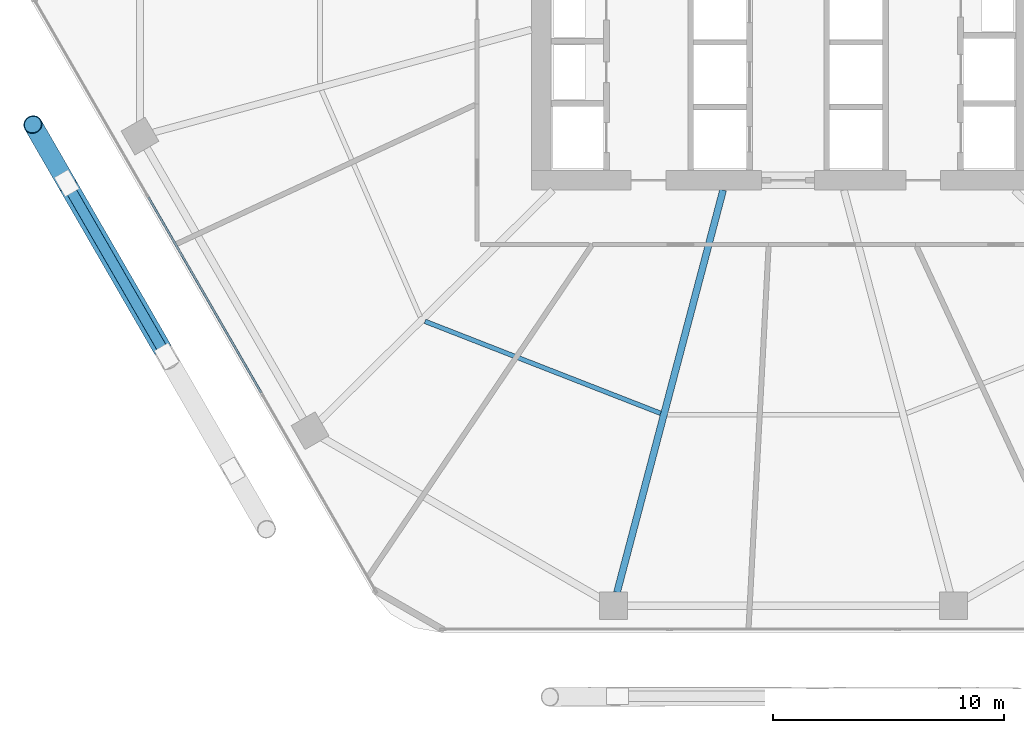
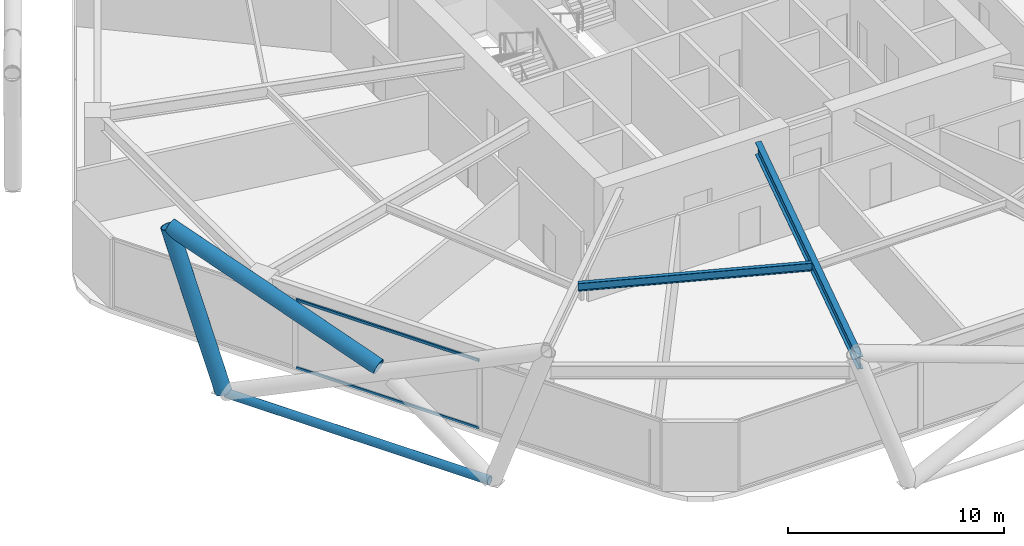
# One storey, part 4 of 28: 5 members, 2 beams, 1 element without a shape of its own.
"""IFC4 building model written with IfcOpenShell, lengths in metres."""

import ifcopenshell
import ifcopenshell.guid

model = None  # the IFC model being written
_history = None  # IfcOwnerHistory: only IFC2X3 demands one
_inside = {}  # id of a spatial element -> (the spatial element, [elements in it])
_under = {}  # id of a project, library or spatial element -> (it, [spatial elements below it])
_declared = {}  # id of a project -> (the project, [libraries it declares])
_typed = {}  # id of a type object -> (the type object, [elements of that type])
_made_of = {}  # id of a material, layer set ... -> (it, [elements and type objects made of it])


def new_model(schema):
    """Start an empty IFC model of exactly this schema.

    Asked for "IFC4X3", IfcOpenShell would pick the latest addendum, in which some entities
    have other attributes; the version numbers below select the first issue.
    IFC2X3 requires an IfcOwnerHistory on every rooted entity: one is made here for all.
    """
    global model, _history
    if schema == "IFC4X3":
        model = ifcopenshell.file(schema_version=(4, 3, 0, 0))
    else:
        model = ifcopenshell.file(schema=schema)
    _inside.clear()
    _under.clear()
    _declared.clear()
    _typed.clear()
    _made_of.clear()
    _history = None
    if model.schema == "IFC2X3":
        org = make("IfcOrganization", Name="unknown")
        user = make(
            "IfcPersonAndOrganization",
            ThePerson=make("IfcPerson", FamilyName="unknown"),
            TheOrganization=org,
        )
        app = make(
            "IfcApplication",
            ApplicationDeveloper=org,
            Version="unknown",
            ApplicationFullName="unknown",
            ApplicationIdentifier="unknown",
        )
        _history = make(
            "IfcOwnerHistory",
            OwningUser=user,
            OwningApplication=app,
            ChangeAction="ADDED",
            CreationDate=0,
        )
    return model


def make(cls, **values):
    """One entity of the class cls with the attributes given. An attribute that is None is left unset."""
    return model.create_entity(
        cls, **{name: value for name, value in values.items() if value is not None}
    )


def rooted(cls, **values):
    """An entity with a GlobalId (a new one), such as an element, a storey or a relation."""
    return make(cls, GlobalId=ifcopenshell.guid.new(), OwnerHistory=_history, **values)


def si_unit(unit_type, name, prefix=None):
    """IfcSIUnit, for example si_unit("LENGTHUNIT", "METRE", prefix="MILLI")."""
    return make("IfcSIUnit", UnitType=unit_type, Prefix=prefix, Name=name)


def assignment(units):
    """IfcUnitAssignment: the units of a project."""
    return None if units is None else make("IfcUnitAssignment", Units=units)


def point(xyz):
    """IfcCartesianPoint."""
    return None if xyz is None else make("IfcCartesianPoint", Coordinates=xyz)


def direction(xyz):
    """IfcDirection."""
    return None if xyz is None else make("IfcDirection", DirectionRatios=xyz)


def frame(location, z_axis=None, x_axis=None):
    """IfcAxis2Placement3D, a coordinate frame: its origin and axes. An axis left out is left unset."""
    return make(
        "IfcAxis2Placement3D",
        Location=point(location),
        Axis=direction(z_axis),
        RefDirection=direction(x_axis),
    )


def frame_2d(location, x_axis=None):
    """IfcAxis2Placement2D, a coordinate frame in the plane: its origin and x axis."""
    return make(
        "IfcAxis2Placement2D", Location=point(location), RefDirection=direction(x_axis)
    )


def origin():
    """The frame at (0, 0, 0) with its axes left unset."""
    return frame((0.0, 0.0, 0.0))


def origin_2d():
    """The frame at (0, 0) in the plane with its x axis left unset."""
    return frame_2d((0.0, 0.0))


def place(relative_to, where):
    """IfcLocalPlacement: puts the frame where relative to a parent placement (None: the world)."""
    return make(
        "IfcLocalPlacement", PlacementRelTo=relative_to, RelativePlacement=where
    )


def context(
    kind, dimensions, precision=None, world=None, true_north=None, identifier=None
):
    """IfcGeometricRepresentationContext, for example the 3D "Model" context."""
    return make(
        "IfcGeometricRepresentationContext",
        ContextIdentifier=identifier,
        ContextType=kind,
        CoordinateSpaceDimension=dimensions,
        Precision=precision,
        WorldCoordinateSystem=world,
        TrueNorth=true_north,
    )


def subcontext(parent, identifier, kind, view, scale=None):
    """IfcGeometricRepresentationSubContext, for example "Body" below "Model"."""
    return make(
        "IfcGeometricRepresentationSubContext",
        ContextIdentifier=identifier,
        ContextType=kind,
        ParentContext=parent,
        TargetScale=scale,
        TargetView=view,
    )


def project(units=None, contexts=None):
    """IfcProject with its units and contexts."""
    return rooted(
        "IfcProject",
        Name="project",
        RepresentationContexts=contexts,
        UnitsInContext=assignment(units),
    )


def spatial(cls, under=None, at=None, **own):
    """A site, building, storey or space (cls), placed at a placement, below another one or the project."""
    s = rooted(cls, ObjectPlacement=at, **own)
    if under is not None:
        _under.setdefault(under.id(), (under, []))[1].append(s)
    return s


def profile(cls, at=None, kind="AREA", **sizes):
    """A parametric profile (cls). Its sizes go by their IFC names, for example OverallWidth=200.0."""
    return make(cls, ProfileType=kind, Position=at, **sizes)


def hollow_rectangle(**sizes):
    """IfcRectangleHollowProfileDef."""
    return profile("IfcRectangleHollowProfileDef", **sizes)


def hollow_circle(**sizes):
    """IfcCircleHollowProfileDef."""
    return profile("IfcCircleHollowProfileDef", **sizes)


def i_section(**sizes):
    """IfcIShapeProfileDef."""
    return profile("IfcIShapeProfileDef", **sizes)


def extrude(swept, where, along, depth):
    """IfcExtrudedAreaSolid: the profile swept, set in the frame where, extruded along a direction by depth."""
    return make(
        "IfcExtrudedAreaSolid",
        SweptArea=swept,
        Position=where,
        ExtrudedDirection=direction(along),
        Depth=depth,
    )


def shape(context_of_items, identifier, shape_type, items):
    """IfcShapeRepresentation: the items that make up one representation, for example the "Body"."""
    return make(
        "IfcShapeRepresentation",
        ContextOfItems=context_of_items,
        RepresentationIdentifier=identifier,
        RepresentationType=shape_type,
        Items=items,
    )


def material(Name=None, Category=None):
    """IfcMaterial."""
    return make("IfcMaterial", Name=Name, Category=Category)


def material_profile(
    of_material, cross_section, Name=None, Category=None, Priority=None
):
    """IfcMaterialProfile: a cross section and its material."""
    return make(
        "IfcMaterialProfile",
        Name=Name,
        Material=of_material,
        Profile=cross_section,
        Priority=Priority,
        Category=Category,
    )


def profile_set(profiles, Name=None, composite=None):
    """IfcMaterialProfileSet."""
    return make(
        "IfcMaterialProfileSet",
        Name=Name,
        MaterialProfiles=profiles,
        CompositeProfile=composite,
    )


def made_of(thing, what):
    """Note that an element or type object is made of a material, layer set ...; save() writes the relation."""
    if what is not None:
        _made_of.setdefault(what.id(), (what, []))[1].append(thing)
    return thing


def type_object(cls, material=None, **own):
    """A type object (cls), such as IfcWallType, which elements share."""
    return made_of(rooted(cls, **own), material)


def element(
    cls,
    number,
    at=None,
    inside=None,
    cuts=None,
    type_object=None,
    material=None,
    context=None,
    identifier="Body",
    shape_type=None,
    held_by="IfcProductDefinitionShape",
    body=None,
    shapes=None,
    **own,
):
    """One element of the class cls, such as IfcWall. Its Tag is "e" and its number.

    at: its placement. inside: the storey or other place that contains it. cuts: it is an
    opening in that element (IfcRelVoidsElement). A single representation is given by context,
    identifier, shape_type and body (its items); several are given by shapes. held_by: the class
    of the entity that holds the representations. save() writes the other relations.
    """
    e = rooted(cls, Tag="e%d" % number, ObjectPlacement=at, **own)
    if body is not None:
        shapes = [shape(context, identifier, shape_type, body)]
    if shapes is not None:
        e.Representation = make(held_by, Representations=shapes)
    if inside is not None:
        _inside.setdefault(inside.id(), (inside, []))[1].append(e)
    if cuts is not None:
        rooted(
            "IfcRelVoidsElement", RelatingBuildingElement=cuts, RelatedOpeningElement=e
        )
    if type_object is not None:
        _typed.setdefault(type_object.id(), (type_object, []))[1].append(e)
    return made_of(e, material)


def aggregate(whole, parts):
    """IfcRelAggregates: a whole, such as a stair, and the parts it consists of."""
    return rooted("IfcRelAggregates", RelatingObject=whole, RelatedObjects=parts)


def save(model, path):
    """Write the relations noted so far, then the file.

    IfcRelAggregates (storeys below a building ...), IfcRelContainedInSpatialStructure (elements
    in a storey), IfcRelDefinesByType, IfcRelAssociatesMaterial and IfcRelDeclares: one each for
    every whole, place, type object, material and project.
    """
    for whole, parts in _under.values():
        aggregate(whole, parts)
    for where, things in _inside.values():
        rooted(
            "IfcRelContainedInSpatialStructure",
            RelatedElements=things,
            RelatingStructure=where,
        )
    for kind, things in _typed.values():
        rooted("IfcRelDefinesByType", RelatedObjects=things, RelatingType=kind)
    for what, things in _made_of.values():
        rooted("IfcRelAssociatesMaterial", RelatedObjects=things, RelatingMaterial=what)
    for by, libraries in _declared.values():
        rooted("IfcRelDeclares", RelatingContext=by, RelatedDefinitions=libraries)
    model.write(path)


model = new_model("IFC4")

# Units and contexts
model_context = context("Model", 3, precision=1e-05, world=origin(), true_north=direction((0.0, 1.0)))
body_context = subcontext(model_context, "Body", "Model", "MODEL_VIEW")
ifc_project = project(units=[si_unit("LENGTHUNIT", "METRE"), si_unit("AREAUNIT", "SQUARE_METRE"), si_unit("VOLUMEUNIT", "CUBIC_METRE"), si_unit("PLANEANGLEUNIT", "RADIAN"), si_unit("MASSUNIT", "GRAM", prefix="KILO")], contexts=[model_context])

# Site, building, storey
site_placement = place(None, origin())
site = spatial("IfcSite", under=ifc_project, at=site_placement, CompositionType="ELEMENT")
building_placement = place(site_placement, origin())
building = spatial("IfcBuilding", under=site, at=building_placement, Name="Zuhravey Tower", CompositionType="ELEMENT")
storey_placement = place(building_placement, frame((0.0, 0.0, 49.800048828125)))
storey = spatial("IfcBuildingStorey", under=building, at=storey_placement, Name="L12", CompositionType="ELEMENT", Elevation=49.800048828125)

# Curtain wall, members
ifc_material_1 = material(Name="Thermally broken anodised aluminium", Category="aluminium")
curtain_wall_type = type_object("IfcCurtainWallType", Name="School Low-E Unitised Curtain Wall CW1", PredefinedType="NOTDEFINED", material=ifc_material_1)
curtain_wall_placement = place(storey_placement, origin())
curtain_wall = element("IfcCurtainWall", 1, at=curtain_wall_placement, inside=storey, type_object=curtain_wall_type, Name="L12 CW1 CW-L12-F4-1", PredefinedType="NOTDEFINED")
ifc_material_2 = material(Name="Anodised aluminium", Category="aluminium")
ifc_material_profile_1 = material_profile(ifc_material_2, hollow_rectangle(XDim=0.090087890625, YDim=0.14990234375, WallThickness=0.0048828125, at=origin_2d()), Name="ALU-RHS-90x150x5")
ifc_profile_set_1 = profile_set([ifc_material_profile_1], Name="Anodised aluminium")
member_type_1 = type_object("IfcMemberType", Name="Curtain-Wall Transom 90x150", PredefinedType="USERDEFINED", material=ifc_profile_set_1)
member_1_placement = place(storey_placement, frame((13.365234375, 13.287353515625, 0.044921875), z_axis=(-0.499990498062, 0.866030889661, 0.0), x_axis=(-0.866030889661, -0.499990498062, 0.0)))
member_1 = element("IfcMember", 2, at=member_1_placement, type_object=member_type_1, Name="CW1 transom 2.1", ObjectType="TRANSOM", PredefinedType="USERDEFINED", context=body_context, shape_type="SweptSolid", body=[
    extrude(hollow_rectangle(XDim=0.090087890625, YDim=0.14990234375, WallThickness=0.0048828125, at=origin_2d()), origin(), (0.0, 0.0, 1.0), 9.776611328125),
])
member_2_placement = place(storey_placement, frame((13.365234375, 13.287353515625, 3.875), z_axis=(-0.499990498062, 0.866030889661, 0.0), x_axis=(-0.866030889661, -0.499990498062, 0.0)))
member_2 = element("IfcMember", 3, at=member_2_placement, type_object=member_type_1, Name="CW1 transom 2.2", ObjectType="TRANSOM", PredefinedType="USERDEFINED", context=body_context, shape_type="SweptSolid", body=[
    extrude(hollow_rectangle(XDim=0.090087890625, YDim=0.14990234375, WallThickness=0.0048828125, at=origin_2d()), origin(), (0.0, 0.0, 1.0), 9.776611328125),
])
aggregate(curtain_wall, [member_1, member_2])

# Members
ifc_material_3 = material(Name="Steel SM355", Category="steel")
ifc_material_profile_2 = material_profile(ifc_material_3, hollow_circle(Radius=0.228515625, WallThickness=0.02197265625, at=origin_2d()), Name="CHS-457.2x22")
ifc_profile_set_2 = profile_set([ifc_material_profile_2], Name="Steel SM355")
member_type_2 = type_object("IfcMemberType", Name="Exoskeleton Ring Tie CHS457x22", PredefinedType="CHORD", material=ifc_profile_set_2)
member_3_placement = place(storey_placement, frame((5.004150390625, 22.24951171875, -0.494140625), z_axis=(0.499995593262, -0.866027948001, 0.0), x_axis=(0.866027948001, 0.499995593262, 0.0)))
element("IfcMember", 4, at=member_3_placement, inside=storey, type_object=member_type_2, Name="L12 Exoskeleton Face 4 Tie EXR1", PredefinedType="CHORD", context=body_context, shape_type="SweptSolid", body=[
    extrude(hollow_circle(Radius=0.228515625, WallThickness=0.02197265625, at=origin_2d()), origin(), (0.0, 0.0, 1.0), 14.107666015625),
])
ifc_material_4 = material(Name="Steel SM460", Category="steel")
ifc_material_profile_3 = material_profile(ifc_material_4, hollow_circle(Radius=0.406494140625, WallThickness=0.035888671875, at=origin_2d()), Name="CHS-812.8x36")
ifc_profile_set_3 = profile_set([ifc_material_profile_3], Name="Steel SM460")
member_type_3 = type_object("IfcMemberType", Name="Exoskeleton Zone 1 Diagrid CHS813x36", PredefinedType="BRACE", material=ifc_profile_set_3)
member_4_placement = place(storey_placement, frame((4.93017578125, 22.37744140625, -0.47216796875), z_axis=(-0.165303015494, 0.286350594813, 0.943757516483), x_axis=(-0.866053660865, -0.499951054106, 0.0)))
element("IfcMember", 5, at=member_4_placement, inside=storey, type_object=member_type_3, Name="L12 Face 4 Diagrid Brace 1", PredefinedType="BRACE", context=body_context, shape_type="SweptSolid", body=[
    extrude(hollow_circle(Radius=0.406494140625, WallThickness=0.035888671875, at=origin_2d()), origin(), (0.0, 0.0, 1.0), 8.854248046875),
])
member_5_placement = place(storey_placement, frame((9.080322265625, 15.189208984375, 3.8408203125), z_axis=(-0.470168805096, 0.814366925669, 0.340217290992), x_axis=(-0.866028239721, -0.499995087982, 0.0)))
element("IfcMember", 6, at=member_5_placement, inside=storey, type_object=member_type_3, Name="L12 Face 4 Split Diagrid Brace 3B", PredefinedType="BRACE", context=body_context, shape_type="SweptSolid", body=[
    extrude(hollow_circle(Radius=0.406494140625, WallThickness=0.035888671875, at=origin_2d()), origin(), (0.0, 0.0, 1.0), 11.89794921875),
])

# Beams
ifc_material_profile_4 = material_profile(ifc_material_3, i_section(OverallWidth=0.300048828125, OverallDepth=0.699951171875, WebThickness=0.012939453125, FlangeThickness=0.02392578125, at=origin_2d()), Name="H-700x300x13x24")
ifc_profile_set_4 = profile_set([ifc_material_profile_4], Name="Steel SM355")
beam_type_1 = type_object("IfcBeamType", Name="Radial Primary Girder H700x300", PredefinedType="BEAM", material=ifc_profile_set_4)
beam_1_placement = place(storey_placement, frame((33.382080078125, 22.072021484375, 3.570068359375), z_axis=(-0.254989720435, -0.966943763862, 0.0), x_axis=(0.966943763862, -0.254989720435, 0.0)))
element("IfcBeam", 7, at=beam_1_placement, inside=storey, type_object=beam_type_1, Name="L12 RG1 BM-L12-RAD-09", PredefinedType="BEAM", context=body_context, shape_type="SweptSolid", body=[
    extrude(i_section(OverallWidth=0.300048828125, OverallDepth=0.699951171875, WebThickness=0.012939453125, FlangeThickness=0.02392578125, at=origin_2d()), origin(), (0.0, 0.0, 1.0), 18.03369140625),
])
ifc_material_profile_5 = material_profile(ifc_material_3, i_section(OverallWidth=0.199951171875, OverallDepth=0.449951171875, WebThickness=0.009033203125, FlangeThickness=0.013916015625, at=origin_2d()), Name="H-450x200x9x14")
ifc_profile_set_5 = profile_set([ifc_material_profile_5], Name="Steel SM355")
beam_type_2 = type_object("IfcBeamType", Name="Secondary Floor Joist H450x200", PredefinedType="JOIST", material=ifc_profile_set_5)
beam_2_placement = place(storey_placement, frame((20.4599609375, 16.38427734375, 3.695068359375), z_axis=(0.931516535886, -0.363698973562, 0.0), x_axis=(0.363698973562, 0.931516535886, 0.0)))
element("IfcBeam", 8, at=beam_2_placement, inside=storey, type_object=beam_type_2, Name="L12 SJ1 BM-L12-SJ-08-1", PredefinedType="JOIST", context=body_context, shape_type="SweptSolid", body=[
    extrude(i_section(OverallWidth=0.199951171875, OverallDepth=0.449951171875, WebThickness=0.009033203125, FlangeThickness=0.013916015625, at=origin_2d()), origin(), (0.0, 0.0, 1.0), 10.963134765625),
])

save(model, "model.ifc")
